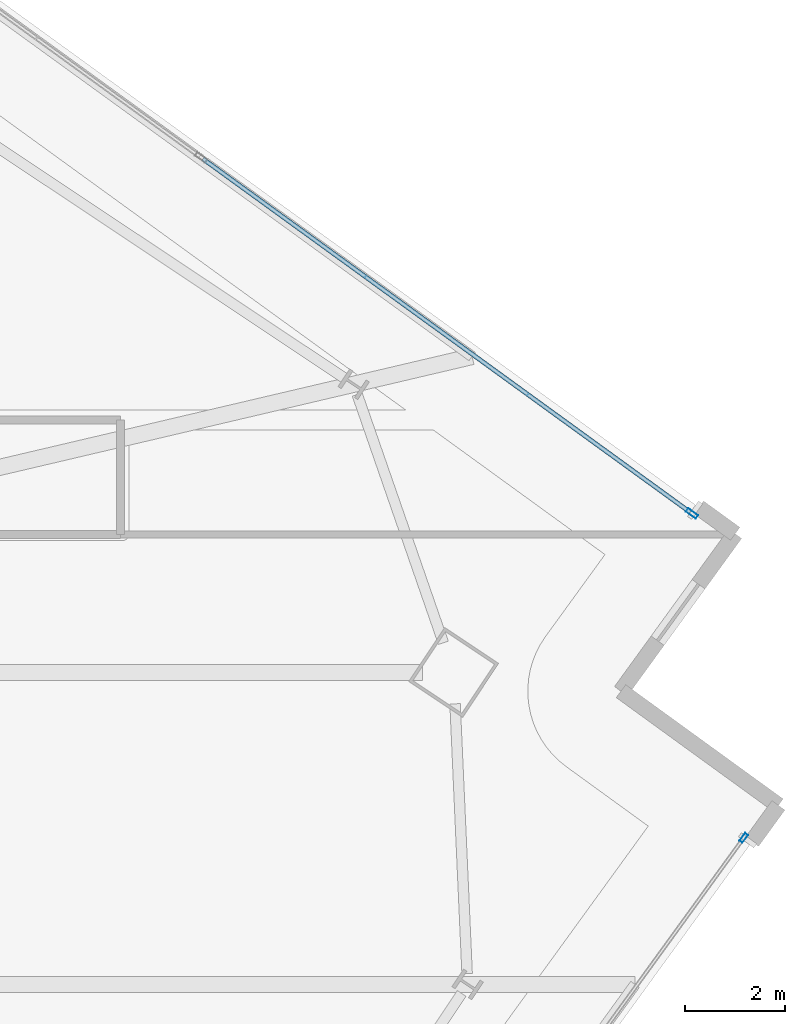
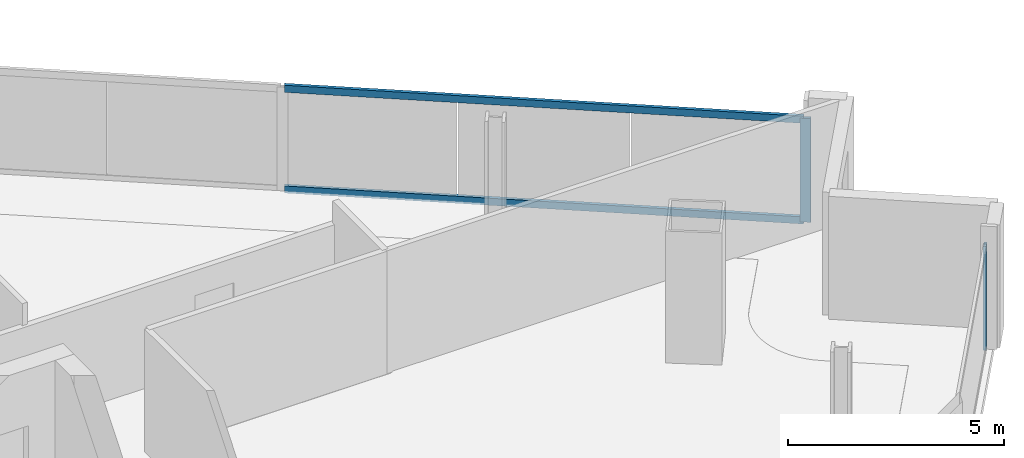
# One storey, part 17 of 29: 4 members, 2 elements without a shape of their own.
"""IFC4 building model written with IfcOpenShell, lengths in metres."""

from ifc_helpers import new_model, si_unit, direction, frame, origin, origin_2d, place, context, subcontext, project, spatial, hollow_rectangle, extrude, material, material_profile, profile_set, type_object, element, aggregate, save


model = new_model("IFC4")

# Units and contexts
model_context = context("Model", 3, precision=1e-05, world=origin(), true_north=direction((0.0, 1.0)))
body_context = subcontext(model_context, "Body", "Model", "MODEL_VIEW")
ifc_project = project(units=[si_unit("LENGTHUNIT", "METRE"), si_unit("AREAUNIT", "SQUARE_METRE"), si_unit("VOLUMEUNIT", "CUBIC_METRE"), si_unit("PLANEANGLEUNIT", "RADIAN"), si_unit("MASSUNIT", "GRAM", prefix="KILO")], contexts=[model_context])

# Site, building, storey
site_placement = place(None, origin())
site = spatial("IfcSite", under=ifc_project, at=site_placement, CompositionType="ELEMENT")
building_placement = place(site_placement, origin())
building = spatial("IfcBuilding", under=site, at=building_placement, Name="Haldenkirk Collegiate Tower", CompositionType="ELEMENT")
storey_placement = place(building_placement, frame((0.0, 0.0, 209.699951171875)))
storey = spatial("IfcBuildingStorey", under=building, at=storey_placement, Name="L52", CompositionType="ELEMENT", Elevation=209.699951171875)

# Curtain wall, member
ifc_material = material(Name="Anodised architectural bronze aluminium", Category="aluminium")
curtain_wall_type_1 = type_object("IfcCurtainWallType", Name="CW-SYS2-CONCAVE", PredefinedType="USERDEFINED", material=ifc_material)
curtain_wall_1_placement = place(storey_placement, origin())
curtain_wall_1 = element("IfcCurtainWall", 1, at=curtain_wall_1_placement, inside=storey, type_object=curtain_wall_type_1, Name="L52 South concave recessed bronze-anodised curtain wall", ObjectType="UNITISED CURTAIN WALL", PredefinedType="USERDEFINED")
ifc_material_profile_1 = material_profile(ifc_material, hollow_rectangle(XDim=0.074951171875, YDim=0.18994140625, WallThickness=0.0048828125, at=origin_2d()), Name="CW-MUL-02")
ifc_profile_set_1 = profile_set([ifc_material_profile_1], Name="Anodised architectural bronze aluminium")
member_type_1 = type_object("IfcMemberType", Name="CW-MUL-02", PredefinedType="MULLION", material=ifc_profile_set_1)
member_1_placement = place(storey_placement, frame((66.30419921875, 28.064697265625, 0.0), z_axis=(0.0, 0.0, 1.0), x_axis=(0.809528917851, -0.587080004057, 0.0)))
member_1 = element("IfcMember", 2, at=member_1_placement, type_object=member_type_1, Name="CW-02 mullion 1", PredefinedType="MULLION", context=body_context, shape_type="SweptSolid", body=[
    extrude(hollow_rectangle(XDim=0.074951171875, YDim=0.18994140625, WallThickness=0.0048828125, at=origin_2d()), origin(), (0.0, 0.0, 1.0), 2.927978515625),
])
aggregate(curtain_wall_1, [member_1])

# Curtain wall, members
curtain_wall_type_2 = type_object("IfcCurtainWallType", Name="CW-SYS1B-CONVEX-HI", PredefinedType="USERDEFINED", material=ifc_material)
curtain_wall_2_placement = place(storey_placement, origin())
curtain_wall_2 = element("IfcCurtainWall", 3, at=curtain_wall_2_placement, inside=storey, type_object=curtain_wall_type_2, Name="L52 Upper tower high-wind convex bronze unitised curtain wall", ObjectType="UNITISED CURTAIN WALL", PredefinedType="USERDEFINED")
ifc_material_profile_2 = material_profile(ifc_material, hollow_rectangle(XDim=0.0849609375, YDim=0.25, WallThickness=0.0048828125, at=origin_2d()), Name="CW-MUL-1B")
ifc_profile_set_2 = profile_set([ifc_material_profile_2], Name="Anodised architectural bronze aluminium")
member_type_2 = type_object("IfcMemberType", Name="CW-MUL-1B", PredefinedType="MULLION", material=ifc_profile_set_2)
member_2_placement = place(storey_placement, frame((65.26416015625, 34.572509765625, 0.0), z_axis=(0.0, 0.0, 1.0), x_axis=(0.587080258293, 0.809528733476, 0.0)))
member_2 = element("IfcMember", 4, at=member_2_placement, type_object=member_type_2, Name="CW-1B mullion 4", PredefinedType="MULLION", context=body_context, shape_type="SweptSolid", body=[
    extrude(hollow_rectangle(XDim=0.0849609375, YDim=0.25, WallThickness=0.0048828125, at=origin_2d()), origin(), (0.0, 0.0, 1.0), 2.927978515625),
])
ifc_material_profile_3 = material_profile(ifc_material, hollow_rectangle(XDim=0.0849609375, YDim=0.199951171875, WallThickness=0.0048828125, at=origin_2d()), Name="CW-TRN-1B")
ifc_profile_set_3 = profile_set([ifc_material_profile_3], Name="Anodised architectural bronze aluminium")
member_type_3 = type_object("IfcMemberType", Name="CW-TRN-1B", PredefinedType="USERDEFINED", material=ifc_profile_set_3)
member_3_placement = place(storey_placement, frame((55.456787109375, 41.684814453125, 0.04248046875), z_axis=(0.809531150807, -0.587076925005, 0.0), x_axis=(0.587076925005, 0.809531150807, 0.0)))
member_3 = element("IfcMember", 5, at=member_3_placement, type_object=member_type_3, Name="CW-1B transom 3.1", ObjectType="TRANSOM", PredefinedType="USERDEFINED", context=body_context, shape_type="SweptSolid", body=[
    extrude(hollow_rectangle(XDim=0.0849609375, YDim=0.199951171875, WallThickness=0.0048828125, at=origin_2d()), origin(), (0.0, 0.0, 1.0), 12.072265625),
])
member_4_placement = place(storey_placement, frame((55.456787109375, 41.684814453125, 2.885498046875), z_axis=(0.809531150807, -0.587076925005, 0.0), x_axis=(0.587076925005, 0.809531150807, 0.0)))
member_4 = element("IfcMember", 6, at=member_4_placement, type_object=member_type_3, Name="CW-1B transom 3.2", ObjectType="TRANSOM", PredefinedType="USERDEFINED", context=body_context, shape_type="SweptSolid", body=[
    extrude(hollow_rectangle(XDim=0.0849609375, YDim=0.199951171875, WallThickness=0.0048828125, at=origin_2d()), origin(), (0.0, 0.0, 1.0), 12.072265625),
])
aggregate(curtain_wall_2, [member_2, member_3, member_4])

save(model, "model.ifc")
